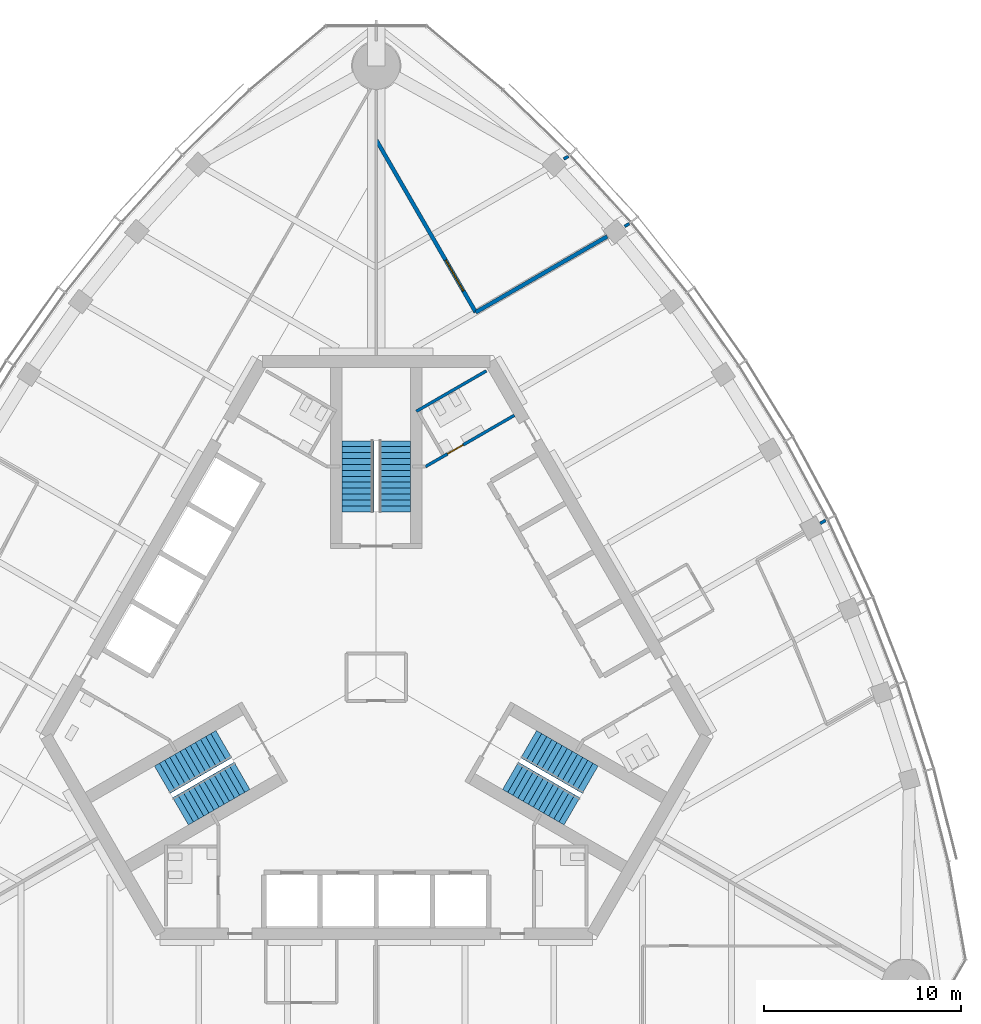
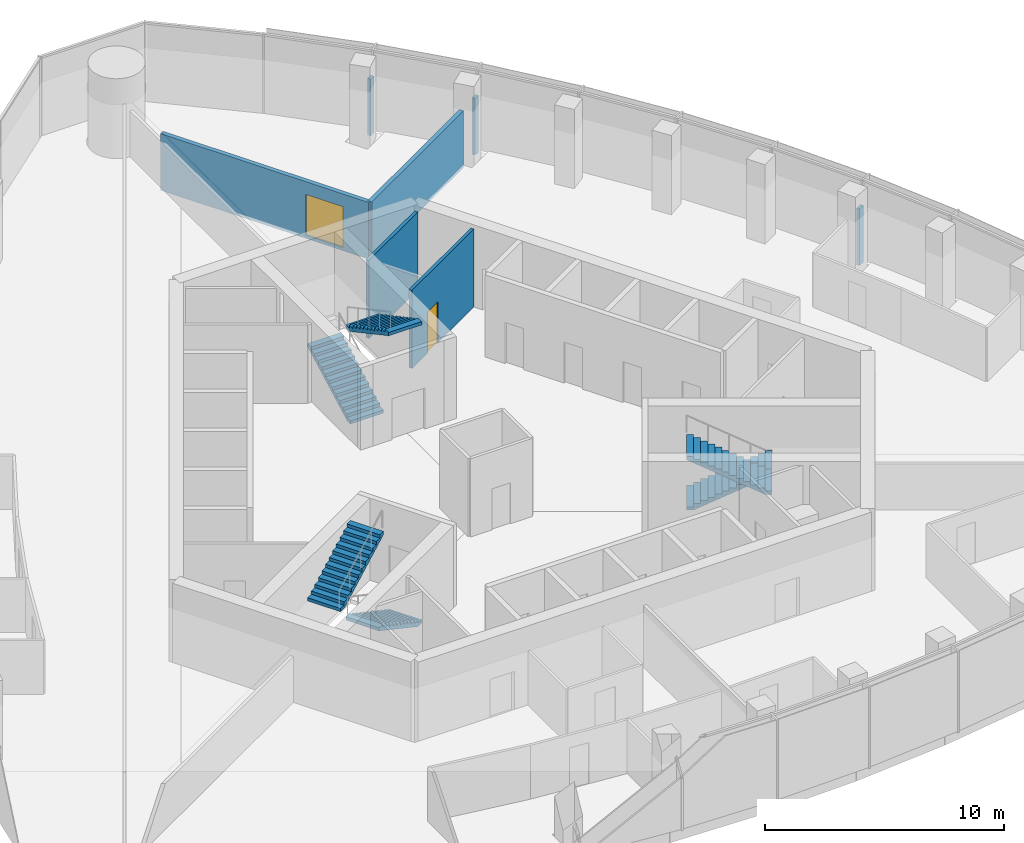
# One storey, part 11 of 16: 7 walls, 6 stair flights, 2 doors, 2 openings, 3 elements without a shape of their own.
"""IFC4 building model written with IfcOpenShell, lengths in metres."""

from ifc_helpers import new_model, si_unit, direction, frame, frame_2d, origin, place, context, subcontext, project, spatial, polyline, rectangle, outline, extrude, material, layer, layer_set, type_object, element, fill, aggregate, save


model = new_model("IFC4")

# Units and contexts
model_context = context("Model", 3, precision=1e-05, world=origin(), true_north=direction((0.0, 1.0)))
body_context = subcontext(model_context, "Body", "Model", "MODEL_VIEW")
ifc_project = project(units=[si_unit("LENGTHUNIT", "METRE"), si_unit("AREAUNIT", "SQUARE_METRE"), si_unit("VOLUMEUNIT", "CUBIC_METRE"), si_unit("PLANEANGLEUNIT", "RADIAN"), si_unit("MASSUNIT", "GRAM", prefix="KILO")], contexts=[model_context])

# Site, building, storey
site_placement = place(None, origin())
site = spatial("IfcSite", under=ifc_project, at=site_placement, CompositionType="ELEMENT")
building_placement = place(site_placement, origin())
building = spatial("IfcBuilding", under=site, at=building_placement, Name="Trefoil Bronze Tower", CompositionType="ELEMENT")
storey_placement = place(building_placement, frame((0.0, 0.0, 309.89990234375)))
storey = spatial("IfcBuildingStorey", under=building, at=storey_placement, Name="L71", CompositionType="ELEMENT", Elevation=309.89990234375)

# Wall, opening, door
ifc_material_1 = material(Name="Gypsum board on steel studs", Category="steel")
ifc_layer_1 = layer(ifc_material_1, 0.199951171875)
ifc_layer_set_1 = layer_set([ifc_layer_1], Name="Acoustic partition 200")
wall_type_1 = type_object("IfcWallType", Name="Acoustic partition 200", PredefinedType="PARTITIONING", material=ifc_layer_set_1)
wall_1_placement = place(storey_placement, frame((5.045166015625, 18.50146484375, 0.0), z_axis=(0.0, 0.0, 1.0), x_axis=(-0.499990381663, 0.866030956863, 0.0)))
wall_1 = element("IfcWall", 1, at=wall_1_placement, inside=storey, type_object=wall_type_1, Name="Partition F2 L71", PredefinedType="PARTITIONING", context=body_context, shape_type="SweptSolid", body=[
    extrude(rectangle(XDim=10.070068359375, YDim=0.199951171875, at=frame_2d((5.03515625, 0.0))), origin(), (0.0, 0.0, 1.0), 2.900146484375),
])
opening_1_placement = place(wall_1_placement, frame((1.25, 0.0, 0.14990234375)))
opening_1 = element("IfcOpeningElement", 2, at=opening_1_placement, cuts=wall_1, Name="Opening D10", PredefinedType="OPENING", context=body_context, shape_type="SweptSolid", body=[
    extrude(rectangle(XDim=1.800048828125, YDim=2.10009765625, at=frame_2d((0.89990234375, 1.050048828125))), frame((0.0, 0.10986328125, 0.0), z_axis=(0.0, -1.0, 0.0), x_axis=(1.0, 0.0, 0.0)), (0.0, 0.0, 1.0), 0.219970703125),
])
ifc_material_2 = material(Name="Timber door", Category="wood")
door_type_1 = type_object("IfcDoorType", Name="Double door 1800", OperationType="DOUBLE_DOOR_SINGLE_SWING", PredefinedType="DOOR", material=ifc_material_2)
door_1_placement = place(opening_1_placement, frame((1.800048828125, 0.0, 0.0), z_axis=(0.0, 0.0, 1.0), x_axis=(-1.0, 0.0, 0.0)))
door_1 = element("IfcDoor", 3, at=door_1_placement, inside=storey, type_object=door_type_1, Name="Boardroom door F2 L71", OperationType="DOUBLE_DOOR_SINGLE_SWING", OverallHeight=2.10009765625, OverallWidth=1.800048828125, PredefinedType="DOOR", context=body_context, shape_type="SweptSolid", body=[
    extrude(rectangle(XDim=1.800048828125, YDim=2.10009765625, at=frame_2d((0.89990234375, 1.050048828125))), frame((0.0, 0.02490234375, 0.0), z_axis=(0.0, -1.0, 0.0), x_axis=(1.0, 0.0, 0.0)), (0.0, 0.0, 1.0), 0.050048828125),
])
fill(opening_1, door_1)

# Wall
wall_2_placement = place(storey_placement, frame((5.045166015625, 18.50146484375, 0.0), z_axis=(0.0, 0.0, 1.0), x_axis=(0.866043990756, 0.499967805039, 0.0)))
element("IfcWall", 4, at=wall_2_placement, inside=storey, type_object=wall_type_1, Name="Partition F2 L71", PredefinedType="PARTITIONING", context=body_context, shape_type="SweptSolid", body=[
    extrude(rectangle(XDim=7.69482421875, YDim=0.199951171875, at=frame_2d((3.847412109375, 0.0))), origin(), (0.0, 0.0, 1.0), 2.900146484375),
])

# Wall, opening, door
ifc_material_3 = material(Name="Gypsum board on steel studs", Category="steel")
ifc_layer_2 = layer(ifc_material_3, 0.14990234375)
ifc_layer_set_2 = layer_set([ifc_layer_2], Name="Partition 150")
wall_type_2 = type_object("IfcWallType", Name="Partition 150", PredefinedType="PARTITIONING", material=ifc_layer_set_2)
wall_3_placement = place(storey_placement, frame((2.4951171875, 10.67822265625, 0.0), z_axis=(0.0, 0.0, 1.0), x_axis=(0.866021400173, 0.500006934395, 0.0)))
wall_3 = element("IfcWall", 5, at=wall_3_placement, inside=storey, type_object=wall_type_2, Name="Passage wall F2+ L71", PredefinedType="PARTITIONING", context=body_context, shape_type="SweptSolid", body=[
    extrude(rectangle(XDim=5.2001953125, YDim=0.14990234375, at=frame_2d((2.60009765625, 0.0))), origin(), (0.0, 0.0, 1.0), 4.0),
])
opening_2_placement = place(wall_3_placement, frame((1.300048828125, 0.0, 0.0)))
opening_2 = element("IfcOpeningElement", 6, at=opening_2_placement, cuts=wall_3, Name="Opening D3", PredefinedType="OPENING", context=body_context, shape_type="SweptSolid", body=[
    extrude(rectangle(XDim=0.89990234375, YDim=2.10009765625, at=frame_2d((0.449951171875, 1.050048828125))), frame((0.0, 0.0849609375, 0.0), z_axis=(0.0, -1.0, 0.0), x_axis=(1.0, 0.0, 0.0)), (0.0, 0.0, 1.0), 0.169921875),
])
ifc_material_4 = material(Name="Timber door", Category="wood")
door_type_2 = type_object("IfcDoorType", Name="WC door 900", OperationType="SINGLE_SWING_LEFT", PredefinedType="DOOR", material=ifc_material_4)
door_2_placement = place(opening_2_placement, origin())
door_2 = element("IfcDoor", 7, at=door_2_placement, inside=storey, type_object=door_type_2, Name="WC (men) door L71", OperationType="SINGLE_SWING_LEFT", OverallHeight=2.10009765625, OverallWidth=0.89990234375, PredefinedType="DOOR", context=body_context, shape_type="SweptSolid", body=[
    extrude(rectangle(XDim=0.89990234375, YDim=2.10009765625, at=frame_2d((0.449951171875, 1.050048828125))), frame((0.0, 0.02490234375, 0.0), z_axis=(0.0, -1.0, 0.0), x_axis=(1.0, 0.0, 0.0)), (0.0, 0.0, 1.0), 0.050048828125),
])
fill(opening_2, door_2)

# Walls
wall_4_placement = place(storey_placement, frame((2.03125, 13.48193359375, 0.0), z_axis=(0.0, 0.0, 1.0), x_axis=(0.866050731258, 0.499956128963, 0.0)))
element("IfcWall", 8, at=wall_4_placement, inside=storey, type_object=wall_type_2, Name="WC partition WC (men) L71", PredefinedType="PARTITIONING", context=body_context, shape_type="SweptSolid", body=[
    extrude(rectangle(XDim=4.099853515625, YDim=0.14990234375, at=frame_2d((2.0498046875, 0.0))), origin(), (0.0, 0.0, 1.0), 4.0),
])
wall_5_placement = place(storey_placement, frame((12.58935546875, 22.85693359375, 0.0), z_axis=(0.0, 0.0, 1.0), x_axis=(0.865982457891, 0.500074377092, 0.0)))
element("IfcWall", 9, at=wall_5_placement, inside=storey, type_object=wall_type_2, Name="Partition F2 L71", PredefinedType="PARTITIONING", context=body_context, shape_type="SweptSolid", body=[
    extrude(rectangle(XDim=0.2802734375, YDim=0.14990234375, at=frame_2d((0.14013671875, 0.0))), origin(), (0.0, 0.0, 1.0), 2.900146484375),
])
wall_6_placement = place(storey_placement, frame((9.503662109375, 26.271484375, 0.0), z_axis=(0.0, 0.0, 1.0), x_axis=(0.866004557827, 0.500036104519, 0.0)))
element("IfcWall", 10, at=wall_6_placement, inside=storey, type_object=wall_type_2, Name="Partition F2 L71", PredefinedType="PARTITIONING", context=body_context, shape_type="SweptSolid", body=[
    extrude(rectangle(XDim=0.26953125, YDim=0.14990234375, at=frame_2d((0.134765625, 0.0))), origin(), (0.0, 0.0, 1.0), 2.900146484375),
])
wall_7_placement = place(storey_placement, frame((22.510009765625, 7.800048828125, 0.0), z_axis=(0.0, 0.0, 1.0), x_axis=(0.866095534226, 0.499878510834, 0.0)))
element("IfcWall", 11, at=wall_7_placement, inside=storey, type_object=wall_type_2, Name="Partition F2 L71", PredefinedType="PARTITIONING", context=body_context, shape_type="SweptSolid", body=[
    extrude(rectangle(XDim=0.31591796875, YDim=0.14990234375, at=frame_2d((0.157958984375, 0.0))), origin(), (0.0, 0.0, 1.0), 2.900146484375),
])

# Stair, stair flights
ifc_material_5 = material(Name="Precast concrete B80", Category="concrete")
stair_type = type_object("IfcStairType", Name="Exit stair 26 risers", PredefinedType="HALF_TURN_STAIR", material=ifc_material_5)
stair_1_placement = place(storey_placement, origin())
stair_1 = element("IfcStair", 12, at=stair_1_placement, inside=storey, type_object=stair_type, Name="Stair ST1 L71", PredefinedType="HALF_TURN_STAIR")
ifc_material_6 = material(Name="Precast concrete B80", Category="concrete")
stair_flight_type = type_object("IfcStairFlightType", Name="Stair flight 1600", PredefinedType="STRAIGHT", material=ifc_material_6)
stair_flight_1_placement = place(storey_placement, frame((7.728515625, -3.39404296875, 0.0), z_axis=(0.0, 0.0, 1.0), x_axis=(0.866025403784, -0.5, 0.0)))
stair_flight_1 = element("IfcStairFlight", 13, at=stair_flight_1_placement, type_object=stair_flight_type, Name="ST1 flight 1", NumberOfRisers=13, NumberOfTreads=12, PredefinedType="STRAIGHT", RiserHeight=0.161538462, TreadLength=0.3, context=body_context, shape_type="SweptSolid", body=[
    extrude(outline(polyline([(0.0, 0.0), (0.0, 0.16162109375), (0.300048828125, 0.16162109375), (0.300048828125, 0.322998046875), (0.60009765625, 0.322998046875), (0.60009765625, 0.484619140625), (0.89990234375, 0.484619140625), (0.89990234375, 0.646240234375), (1.199951171875, 0.646240234375), (1.199951171875, 0.8076171875), (1.5, 0.8076171875), (1.5, 0.96923828125), (1.800048828125, 0.96923828125), (1.800048828125, 1.130859375), (2.10009765625, 1.130859375), (2.10009765625, 1.292236328125), (2.39990234375, 1.292236328125), (2.39990234375, 1.453857421875), (2.699951171875, 1.453857421875), (2.699951171875, 1.615478515625), (3.0, 1.615478515625), (3.0, 1.77685546875), (3.300048828125, 1.77685546875), (3.300048828125, 1.9384765625), (3.60009765625, 1.9384765625), (3.60009765625, 2.10009765625), (3.60009765625, 1.768310546875), (0.316162109375, 0.0), (0.0, 0.0)])), frame((0.0, 0.800048828125, 0.0), z_axis=(0.0, -1.0, 0.0), x_axis=(1.0, 0.0, 0.0)), (0.0, 0.0, 1.0), 1.60009765625),
])
stair_flight_2_placement = place(storey_placement, frame((9.921142578125, -6.796142578125, 2.10009765625), z_axis=(0.0, 0.0, 1.0), x_axis=(-0.866025403784, 0.5, 0.0)))
stair_flight_2 = element("IfcStairFlight", 14, at=stair_flight_2_placement, type_object=stair_flight_type, Name="ST1 flight 2", NumberOfRisers=13, NumberOfTreads=12, PredefinedType="STRAIGHT", RiserHeight=0.161538462, TreadLength=0.3, context=body_context, shape_type="SweptSolid", body=[
    extrude(outline(polyline([(0.0, 0.0), (0.0, 0.16162109375), (0.300048828125, 0.16162109375), (0.300048828125, 0.322998046875), (0.60009765625, 0.322998046875), (0.60009765625, 0.484619140625), (0.89990234375, 0.484619140625), (0.89990234375, 0.646240234375), (1.199951171875, 0.646240234375), (1.199951171875, 0.8076171875), (1.5, 0.8076171875), (1.5, 0.96923828125), (1.800048828125, 0.96923828125), (1.800048828125, 1.130859375), (2.10009765625, 1.130859375), (2.10009765625, 1.292236328125), (2.39990234375, 1.292236328125), (2.39990234375, 1.453857421875), (2.699951171875, 1.453857421875), (2.699951171875, 1.615478515625), (3.0, 1.615478515625), (3.0, 1.77685546875), (3.300048828125, 1.77685546875), (3.300048828125, 1.9384765625), (3.60009765625, 1.9384765625), (3.60009765625, 2.10009765625), (3.60009765625, 1.768310546875), (0.316162109375, 0.0), (0.0, 0.0)])), frame((0.0, 0.800048828125, 0.0), z_axis=(0.0, -1.0, 0.0), x_axis=(1.0, 0.0, 0.0)), (0.0, 0.0, 1.0), 1.60009765625),
])
aggregate(stair_1, [stair_flight_1, stair_flight_2])

stair_2_placement = place(storey_placement, origin())
stair_2 = element("IfcStair", 15, at=stair_2_placement, inside=storey, type_object=stair_type, Name="Stair ST2 L71", PredefinedType="HALF_TURN_STAIR")
stair_flight_3_placement = place(storey_placement, frame((-0.925048828125, 8.389892578125, 0.0), z_axis=(0.0, 0.0, 1.0), x_axis=(0.0, 1.0, 0.0)))
stair_flight_3 = element("IfcStairFlight", 16, at=stair_flight_3_placement, type_object=stair_flight_type, Name="ST2 flight 1", NumberOfRisers=13, NumberOfTreads=12, PredefinedType="STRAIGHT", RiserHeight=0.161538462, TreadLength=0.3, context=body_context, shape_type="SweptSolid", body=[
    extrude(outline(polyline([(0.0, 0.0), (0.0, 0.16162109375), (0.300048828125, 0.16162109375), (0.300048828125, 0.322998046875), (0.60009765625, 0.322998046875), (0.60009765625, 0.484619140625), (0.89990234375, 0.484619140625), (0.89990234375, 0.646240234375), (1.199951171875, 0.646240234375), (1.199951171875, 0.8076171875), (1.5, 0.8076171875), (1.5, 0.96923828125), (1.800048828125, 0.96923828125), (1.800048828125, 1.130859375), (2.10009765625, 1.130859375), (2.10009765625, 1.292236328125), (2.39990234375, 1.292236328125), (2.39990234375, 1.453857421875), (2.699951171875, 1.453857421875), (2.699951171875, 1.615478515625), (3.0, 1.615478515625), (3.0, 1.77685546875), (3.300048828125, 1.77685546875), (3.300048828125, 1.9384765625), (3.60009765625, 1.9384765625), (3.60009765625, 2.10009765625), (3.60009765625, 1.768310546875), (0.316162109375, 0.0), (0.0, 0.0)])), frame((0.0, 0.800048828125, 0.0), z_axis=(0.0, -1.0, 0.0), x_axis=(1.0, 0.0, 0.0)), (0.0, 0.0, 1.0), 1.60009765625),
])
stair_flight_4_placement = place(storey_placement, frame((0.925048828125, 11.989990234375, 2.10009765625), z_axis=(0.0, 0.0, 1.0), x_axis=(0.0, -1.0, 0.0)))
stair_flight_4 = element("IfcStairFlight", 17, at=stair_flight_4_placement, type_object=stair_flight_type, Name="ST2 flight 2", NumberOfRisers=13, NumberOfTreads=12, PredefinedType="STRAIGHT", RiserHeight=0.161538462, TreadLength=0.3, context=body_context, shape_type="SweptSolid", body=[
    extrude(outline(polyline([(0.0, 0.0), (0.0, 0.16162109375), (0.300048828125, 0.16162109375), (0.300048828125, 0.322998046875), (0.60009765625, 0.322998046875), (0.60009765625, 0.484619140625), (0.89990234375, 0.484619140625), (0.89990234375, 0.646240234375), (1.199951171875, 0.646240234375), (1.199951171875, 0.8076171875), (1.5, 0.8076171875), (1.5, 0.96923828125), (1.800048828125, 0.96923828125), (1.800048828125, 1.130859375), (2.10009765625, 1.130859375), (2.10009765625, 1.292236328125), (2.39990234375, 1.292236328125), (2.39990234375, 1.453857421875), (2.699951171875, 1.453857421875), (2.699951171875, 1.615478515625), (3.0, 1.615478515625), (3.0, 1.77685546875), (3.300048828125, 1.77685546875), (3.300048828125, 1.9384765625), (3.60009765625, 1.9384765625), (3.60009765625, 2.10009765625), (3.60009765625, 1.768310546875), (0.316162109375, 0.0), (0.0, 0.0)])), frame((0.0, 0.800048828125, 0.0), z_axis=(0.0, -1.0, 0.0), x_axis=(1.0, 0.0, 0.0)), (0.0, 0.0, 1.0), 1.60009765625),
])
aggregate(stair_2, [stair_flight_3, stair_flight_4])

stair_3_placement = place(storey_placement, origin())
stair_3 = element("IfcStair", 18, at=stair_3_placement, inside=storey, type_object=stair_type, Name="Stair ST3 L71", PredefinedType="HALF_TURN_STAIR")
stair_flight_5_placement = place(storey_placement, frame((-6.803466796875, -4.99609375, 0.0), z_axis=(0.0, 0.0, 1.0), x_axis=(-0.866025403784, -0.5, 0.0)))
stair_flight_5 = element("IfcStairFlight", 19, at=stair_flight_5_placement, type_object=stair_flight_type, Name="ST3 flight 1", NumberOfRisers=13, NumberOfTreads=12, PredefinedType="STRAIGHT", RiserHeight=0.161538462, TreadLength=0.3, context=body_context, shape_type="SweptSolid", body=[
    extrude(outline(polyline([(0.0, 0.0), (0.0, 0.16162109375), (0.300048828125, 0.16162109375), (0.300048828125, 0.322998046875), (0.60009765625, 0.322998046875), (0.60009765625, 0.484619140625), (0.89990234375, 0.484619140625), (0.89990234375, 0.646240234375), (1.199951171875, 0.646240234375), (1.199951171875, 0.8076171875), (1.5, 0.8076171875), (1.5, 0.96923828125), (1.800048828125, 0.96923828125), (1.800048828125, 1.130859375), (2.10009765625, 1.130859375), (2.10009765625, 1.292236328125), (2.39990234375, 1.292236328125), (2.39990234375, 1.453857421875), (2.699951171875, 1.453857421875), (2.699951171875, 1.615478515625), (3.0, 1.615478515625), (3.0, 1.77685546875), (3.300048828125, 1.77685546875), (3.300048828125, 1.9384765625), (3.60009765625, 1.9384765625), (3.60009765625, 2.10009765625), (3.60009765625, 1.768310546875), (0.316162109375, 0.0), (0.0, 0.0)])), frame((0.0, 0.800048828125, 0.0), z_axis=(0.0, -1.0, 0.0), x_axis=(1.0, 0.0, 0.0)), (0.0, 0.0, 1.0), 1.60009765625),
])
stair_flight_6_placement = place(storey_placement, frame((-10.84619140625, -5.19384765625, 2.10009765625), z_axis=(0.0, 0.0, 1.0), x_axis=(0.866025403784, 0.5, 0.0)))
stair_flight_6 = element("IfcStairFlight", 20, at=stair_flight_6_placement, type_object=stair_flight_type, Name="ST3 flight 2", NumberOfRisers=13, NumberOfTreads=12, PredefinedType="STRAIGHT", RiserHeight=0.161538462, TreadLength=0.3, context=body_context, shape_type="SweptSolid", body=[
    extrude(outline(polyline([(0.0, 0.0), (0.0, 0.16162109375), (0.300048828125, 0.16162109375), (0.300048828125, 0.322998046875), (0.60009765625, 0.322998046875), (0.60009765625, 0.484619140625), (0.89990234375, 0.484619140625), (0.89990234375, 0.646240234375), (1.199951171875, 0.646240234375), (1.199951171875, 0.8076171875), (1.5, 0.8076171875), (1.5, 0.96923828125), (1.800048828125, 0.96923828125), (1.800048828125, 1.130859375), (2.10009765625, 1.130859375), (2.10009765625, 1.292236328125), (2.39990234375, 1.292236328125), (2.39990234375, 1.453857421875), (2.699951171875, 1.453857421875), (2.699951171875, 1.615478515625), (3.0, 1.615478515625), (3.0, 1.77685546875), (3.300048828125, 1.77685546875), (3.300048828125, 1.9384765625), (3.60009765625, 1.9384765625), (3.60009765625, 2.10009765625), (3.60009765625, 1.768310546875), (0.316162109375, 0.0), (0.0, 0.0)])), frame((0.0, 0.800048828125, 0.0), z_axis=(0.0, -1.0, 0.0), x_axis=(1.0, 0.0, 0.0)), (0.0, 0.0, 1.0), 1.60009765625),
])
aggregate(stair_3, [stair_flight_5, stair_flight_6])

save(model, "model.ifc")
